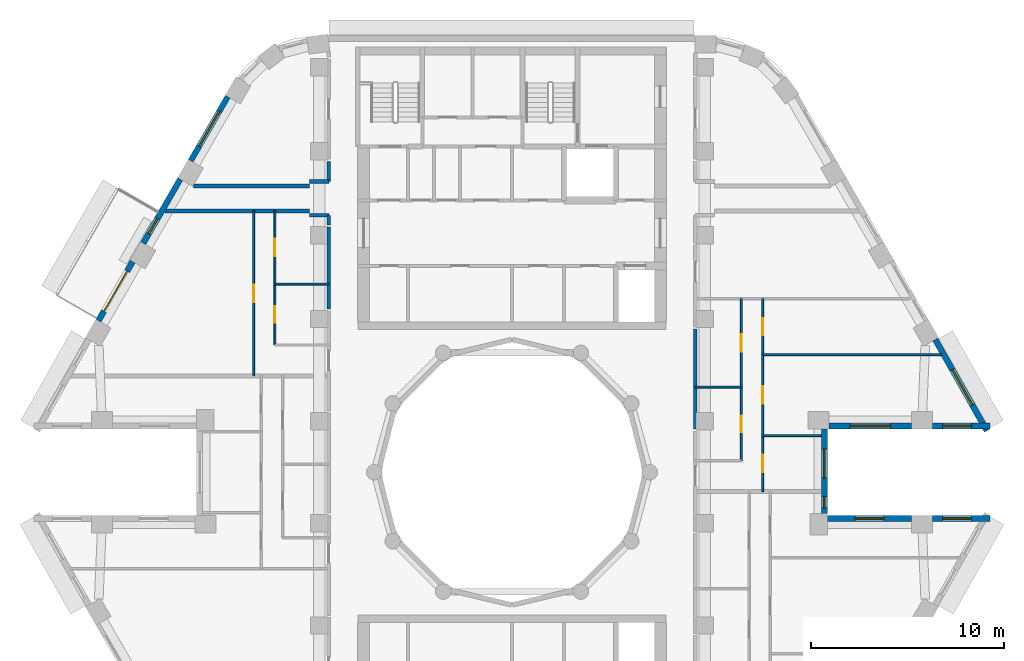
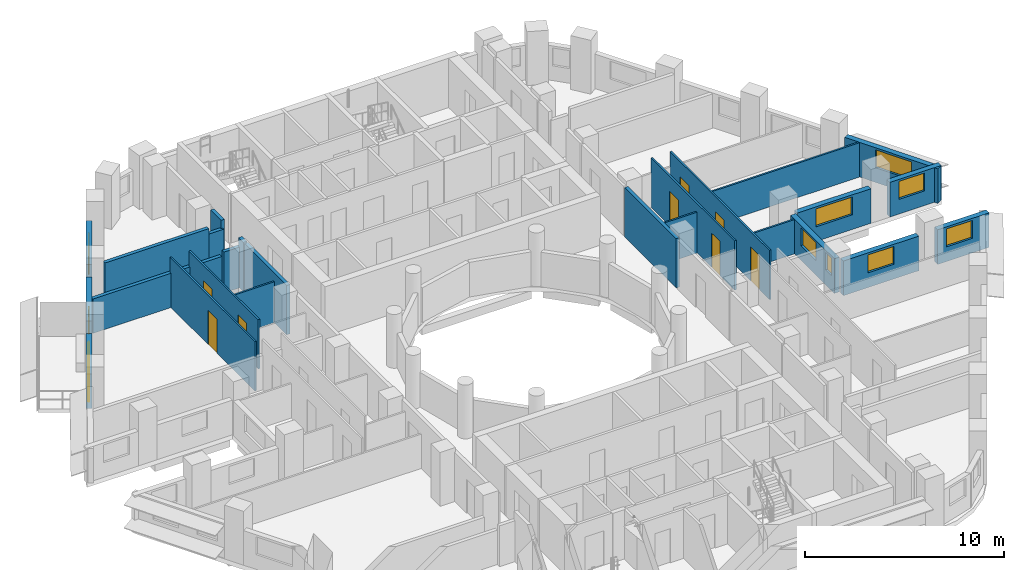
# One storey, part 6 of 13: 25 walls, 9 doors, 9 windows, 18 openings.
"""IFC4 building model written with IfcOpenShell, lengths in metres."""

from ifc_helpers import new_model, si_unit, direction, frame, frame_2d, origin, place, context, subcontext, project, spatial, rectangle, extrude, material, layer, layer_set, type_object, element, fill, save


model = new_model("IFC4")

# Units and contexts
model_context = context("Model", 3, precision=1e-05, world=origin(), true_north=direction((0.0, 1.0)))
body_context = subcontext(model_context, "Body", "Model", "MODEL_VIEW")
ifc_project = project(units=[si_unit("LENGTHUNIT", "METRE"), si_unit("AREAUNIT", "SQUARE_METRE"), si_unit("VOLUMEUNIT", "CUBIC_METRE"), si_unit("PLANEANGLEUNIT", "RADIAN"), si_unit("MASSUNIT", "GRAM", prefix="KILO")], contexts=[model_context])

# Site, building, storey
site_placement = place(None, origin())
site = spatial("IfcSite", under=ifc_project, at=site_placement, CompositionType="ELEMENT")
building_placement = place(site_placement, origin())
building = spatial("IfcBuilding", under=site, at=building_placement, Name="Nakaniwa Court", CompositionType="ELEMENT")
storey_placement = place(building_placement, frame((0.0, 0.0, 269.10009765625)))
storey = spatial("IfcBuildingStorey", under=building, at=storey_placement, Name="L71", CompositionType="ELEMENT", Elevation=269.10009765625)

# Walls
ifc_material_1 = material(Name="Acoustic double stud partition")
ifc_layer_1 = layer(ifc_material_1, 0.199951171875)
ifc_layer_set_1 = layer_set([ifc_layer_1], Name="Acoustic double stud partition")
wall_type_1 = type_object("IfcWallType", Name="Acoustic double stud partition 200", PredefinedType="PARTITIONING", material=ifc_layer_set_1)
wall_1_placement = place(storey_placement, frame((89.5, 82.237060546875, 0.0), z_axis=(0.0, 0.0, 1.0), x_axis=(0.0, 1.0, 0.0)))
element("IfcWall", 1, at=wall_1_placement, inside=storey, type_object=wall_type_1, Name="Partition PW-064", PredefinedType="PARTITIONING", context=body_context, shape_type="SweptSolid", body=[
    extrude(rectangle(XDim=5.18603515625, YDim=0.199951171875, at=frame_2d((2.593017578125, 0.0))), origin(), (0.0, 0.0, 1.0), 3.02490234375),
])
wall_2_placement = place(storey_placement, frame((62.015380859375, 93.550048828125, 0.0), z_axis=(0.0, 0.0, 1.0), x_axis=(1.0, 0.0, 0.0)))
element("IfcWall", 2, at=wall_2_placement, inside=storey, type_object=wall_type_1, Name="Partition PW-070", PredefinedType="PARTITIONING", context=body_context, shape_type="SweptSolid", body=[
    extrude(rectangle(XDim=7.484619140625, YDim=0.199951171875, at=frame_2d((3.7421875, 0.0))), origin(), (0.0, 0.0, 1.0), 2.10498046875),
])
for number, where, z_axis, x_axis, name in (
    (3, (69.5, 93.324951171875, 0.0), (0.0, 0.0, 1.0), (1.0, 0.0, 0.0), "Partition PW-072"),
    (4, (69.5, 95.074951171875, 0.0), (0.0, 0.0, 1.0), (1.0, 0.0, 0.0), "Partition PW-074"),
):
    element("IfcWall", number, at=place(storey_placement, frame(where, z_axis=z_axis, x_axis=x_axis)), inside=storey, type_object=wall_type_1, Name=name, PredefinedType="PARTITIONING", context=body_context, shape_type="SweptSolid", body=[
        extrude(rectangle(XDim=1.0, YDim=0.199951171875, at=frame_2d((0.5, 0.0))), origin(), (0.0, 0.0, 1.0), 2.5048828125),
    ])
wall_3_placement = place(storey_placement, frame((63.47900390625, 94.85009765625, 0.0), z_axis=(0.0, 0.0, 1.0), x_axis=(1.0, 0.0, 0.0)))
element("IfcWall", 5, at=wall_3_placement, inside=storey, type_object=wall_type_1, Name="Partition PW-076", PredefinedType="PARTITIONING", context=body_context, shape_type="SweptSolid", body=[
    extrude(rectangle(XDim=6.02099609375, YDim=0.199951171875, at=frame_2d((3.010498046875, 0.0))), origin(), (0.0, 0.0, 1.0), 3.02490234375),
])
wall_4_placement = place(storey_placement, frame((70.5, 88.47705078125, 0.0), z_axis=(0.0, 0.0, 1.0), x_axis=(0.0, 1.0, 0.0)))
element("IfcWall", 6, at=wall_4_placement, inside=storey, type_object=wall_type_1, Name="Partition PW-091", PredefinedType="PARTITIONING", context=body_context, shape_type="SweptSolid", body=[
    extrude(rectangle(XDim=4.23583984375, YDim=0.199951171875, at=frame_2d((2.117919921875, 0.0))), origin(), (0.0, 0.0, 1.0), 3.02490234375),
])
wall_5_placement = place(storey_placement, frame((70.5, 92.826904296875, 0.0), z_axis=(0.0, 0.0, 1.0), x_axis=(0.0, 1.0, 0.0)))
element("IfcWall", 7, at=wall_5_placement, inside=storey, type_object=wall_type_1, Name="Partition PW-092", PredefinedType="PARTITIONING", context=body_context, shape_type="SweptSolid", body=[
    extrude(rectangle(XDim=0.5009765625, YDim=0.199951171875, at=frame_2d((0.25048828125, 0.0))), origin(), (0.0, 0.0, 1.0), 3.02490234375),
])
wall_6_placement = place(storey_placement, frame((70.5, 95.072021484375, 0.0), z_axis=(0.0, 0.0, 1.0), x_axis=(0.0, 1.0, 0.0)))
element("IfcWall", 8, at=wall_6_placement, inside=storey, type_object=wall_type_1, Name="Partition PW-093", PredefinedType="PARTITIONING", context=body_context, shape_type="SweptSolid", body=[
    extrude(rectangle(XDim=1.051025390625, YDim=0.199951171875, at=frame_2d((0.525390625, 0.0))), origin(), (0.0, 0.0, 1.0), 3.02490234375),
])

# Wall, opening, window
ifc_material_2 = material(Name="Charcoal ceramic cladding")
ifc_layer_2 = layer(ifc_material_2, 0.02, Name="Ceramic cladding")
ifc_material_3 = material(Name="Ventilated air cavity")
ifc_layer_3 = layer(ifc_material_3, 0.04, ventilated=True, Name="Ventilated cavity")
ifc_material_4 = material(Name="Mineral wool insulation")
ifc_layer_4 = layer(ifc_material_4, 0.1, Name="Insulation")
ifc_material_5 = material(Name="Cement bonded sheathing board")
ifc_layer_5 = layer(ifc_material_5, 0.012, Name="Sheathing")
ifc_material_6 = material(Name="Cold-formed galvanised stud frame with mineral wool infill")
ifc_layer_6 = layer(ifc_material_6, 0.1, Name="Stud frame")
ifc_material_7 = material(Name="Fire-rated gypsum plasterboard lining")
ifc_layer_7 = layer(ifc_material_7, 0.028, Name="Lining")
ifc_layer_set_2 = layer_set([ifc_layer_2, ifc_layer_3, ifc_layer_4, ifc_layer_5, ifc_layer_6, ifc_layer_7], Name="Charcoal ceramic faced external wall system")
wall_type_2 = type_object("IfcWallType", Name="Black ceramic faced external wall 300", PredefinedType="SOLIDWALL", material=ifc_layer_set_2)
wall_7_placement = place(storey_placement, frame((96.445556640625, 82.39990234375, 0.0), z_axis=(0.0, 0.0, 1.0), x_axis=(1.0, 0.0, 0.0)))
wall_7 = element("IfcWall", 9, at=wall_7_placement, inside=storey, type_object=wall_type_2, Name="L71 external wall 00", PredefinedType="SOLIDWALL", context=body_context, shape_type="SweptSolid", body=[
    extrude(rectangle(XDim=4.2724609375, YDim=0.300048828125, at=frame_2d((2.13623046875, 0.0))), origin(), (0.0, 0.0, 1.0), 2.125),
])
opening_1_placement = place(wall_7_placement, frame((1.086181640625, 0.0, 0.89990234375)))
opening_1 = element("IfcOpeningElement", 10, at=opening_1_placement, cuts=wall_7, Name="Opening W7.01", PredefinedType="OPENING", context=body_context, shape_type="SweptSolid", body=[
    extrude(rectangle(XDim=2.10009765625, YDim=1.10009765625, at=frame_2d((1.050048828125, 0.550048828125))), frame((0.0, 0.159912109375, 0.0), z_axis=(0.0, -1.0, 0.0), x_axis=(1.0, 0.0, 0.0)), (0.0, 0.0, 1.0), 0.320068359375),
])
ifc_material_8 = material(Name="Black anodised aluminium frame with dark low-E laminated double glazing", Category="aluminium")
window_type_1 = type_object("IfcWindowType", Name="Dark glass window 2100x1100 sill 900", PartitioningType="SINGLE_PANEL", PredefinedType="WINDOW", material=ifc_material_8)
window_1_placement = place(opening_1_placement, origin())
window_1 = element("IfcWindow", 11, at=window_1_placement, inside=storey, type_object=window_type_1, Name="L71 living window 00-0", OverallHeight=1.10009765625, OverallWidth=2.10009765625, PartitioningType="SINGLE_PANEL", PredefinedType="WINDOW", context=body_context, shape_type="SweptSolid", body=[
    extrude(rectangle(XDim=2.10009765625, YDim=1.10009765625, at=frame_2d((1.050048828125, 0.550048828125))), frame((0.0, 0.030029296875, 0.0), z_axis=(0.0, -1.0, 0.0), x_axis=(1.0, 0.0, 0.0)), (0.0, 0.0, 1.0), 0.06005859375),
])
fill(opening_1, window_1)

wall_8_placement = place(storey_placement, frame((101.81005859375, 82.39990234375, 0.0), z_axis=(0.0, 0.0, 1.0), x_axis=(1.0, 0.0, 0.0)))
wall_8 = element("IfcWall", 12, at=wall_8_placement, inside=storey, type_object=wall_type_2, Name="L71 external wall 01", PredefinedType="SOLIDWALL", context=body_context, shape_type="SweptSolid", body=[
    extrude(rectangle(XDim=2.98779296875, YDim=0.300048828125, at=frame_2d((1.493896484375, 0.0))), origin(), (0.0, 0.0, 1.0), 2.125),
])
opening_2_placement = place(wall_8_placement, frame((0.51904296875, 0.0, 0.89990234375)))
opening_2 = element("IfcOpeningElement", 13, at=opening_2_placement, cuts=wall_8, Name="Opening W5.02", PredefinedType="OPENING", context=body_context, shape_type="SweptSolid", body=[
    extrude(rectangle(XDim=1.5, YDim=1.10009765625, at=frame_2d((0.75, 0.550048828125))), frame((0.0, 0.159912109375, 0.0), z_axis=(0.0, -1.0, 0.0), x_axis=(1.0, 0.0, 0.0)), (0.0, 0.0, 1.0), 0.320068359375),
])
window_type_2 = type_object("IfcWindowType", Name="Dark glass window 1500x1100 sill 900", PartitioningType="SINGLE_PANEL", PredefinedType="WINDOW", material=ifc_material_8)
window_2_placement = place(opening_2_placement, origin())
window_2 = element("IfcWindow", 14, at=window_2_placement, inside=storey, type_object=window_type_2, Name="L71 living window 01-0", OverallHeight=1.10009765625, OverallWidth=1.5, PartitioningType="SINGLE_PANEL", PredefinedType="WINDOW", context=body_context, shape_type="SweptSolid", body=[
    extrude(rectangle(XDim=1.5, YDim=1.10009765625, at=frame_2d((0.75, 0.550048828125))), frame((0.0, 0.030029296875, 0.0), z_axis=(0.0, -1.0, 0.0), x_axis=(1.0, 0.0, 0.0)), (0.0, 0.0, 1.0), 0.06005859375),
])
fill(opening_2, window_2)

wall_9_placement = place(storey_placement, frame((104.627197265625, 82.153564453125, 0.0), z_axis=(0.0, 0.0, 1.0), x_axis=(-0.492080931903, 0.870549456641, 0.0)))
wall_9 = element("IfcWall", 15, at=wall_9_placement, inside=storey, type_object=wall_type_2, Name="L71 external wall 02", PredefinedType="SOLIDWALL", context=body_context, shape_type="SweptSolid", body=[
    extrude(rectangle(XDim=5.436767578125, YDim=0.300048828125, at=frame_2d((2.71826171875, 0.0))), origin(), (0.0, 0.0, 1.0), 2.125),
])
opening_3_placement = place(wall_9_placement, frame((1.538818359375, 0.0, 0.89990234375)))
opening_3 = element("IfcOpeningElement", 16, at=opening_3_placement, cuts=wall_9, Name="Opening W7.03", PredefinedType="OPENING", context=body_context, shape_type="SweptSolid", body=[
    extrude(rectangle(XDim=2.10009765625, YDim=1.10009765625, at=frame_2d((1.050048828125, 0.550048828125))), frame((0.0, 0.159912109375, 0.0), z_axis=(0.0, -1.0, 0.0), x_axis=(1.0, 0.0, 0.0)), (0.0, 0.0, 1.0), 0.320068359375),
])
window_3_placement = place(opening_3_placement, origin())
window_3 = element("IfcWindow", 17, at=window_3_placement, inside=storey, type_object=window_type_1, Name="L71 living window 02-0", OverallHeight=1.10009765625, OverallWidth=2.10009765625, PartitioningType="SINGLE_PANEL", PredefinedType="WINDOW", context=body_context, shape_type="SweptSolid", body=[
    extrude(rectangle(XDim=2.10009765625, YDim=1.10009765625, at=frame_2d((1.050048828125, 0.550048828125))), frame((0.0, 0.030029296875, 0.0), z_axis=(0.0, -1.0, 0.0), x_axis=(1.0, 0.0, 0.0)), (0.0, 0.0, 1.0), 0.06005859375),
])
fill(opening_3, window_3)

wall_10_placement = place(storey_placement, frame((65.26416015625, 99.476806640625, 0.0), z_axis=(0.0, 0.0, 1.0), x_axis=(-0.499984490703, -0.866034357896, 0.0)))
wall_10 = element("IfcWall", 18, at=wall_10_placement, inside=storey, type_object=wall_type_2, Name="L71 external wall 11", PredefinedType="SOLIDWALL", context=body_context, shape_type="SweptSolid", body=[
    extrude(rectangle(XDim=3.84423828125, YDim=0.300048828125, at=frame_2d((1.922119140625, 0.0))), origin(), (0.0, 0.0, 1.0), 2.125),
])
opening_4_placement = place(wall_10_placement, frame((0.8720703125, 0.0, 0.89990234375)))
opening_4 = element("IfcOpeningElement", 19, at=opening_4_placement, cuts=wall_10, Name="Opening W7.12", PredefinedType="OPENING", context=body_context, shape_type="SweptSolid", body=[
    extrude(rectangle(XDim=2.10009765625, YDim=1.10009765625, at=frame_2d((1.050048828125, 0.550048828125))), frame((0.0, 0.159912109375, 0.0), z_axis=(0.0, -1.0, 0.0), x_axis=(1.0, 0.0, 0.0)), (0.0, 0.0, 1.0), 0.320068359375),
])
window_4_placement = place(opening_4_placement, origin())
window_4 = element("IfcWindow", 20, at=window_4_placement, inside=storey, type_object=window_type_1, Name="L71 habitable room window 11-0", OverallHeight=1.10009765625, OverallWidth=2.10009765625, PartitioningType="SINGLE_PANEL", PredefinedType="WINDOW", context=body_context, shape_type="SweptSolid", body=[
    extrude(rectangle(XDim=2.10009765625, YDim=1.10009765625, at=frame_2d((1.050048828125, 0.550048828125))), frame((0.0, 0.030029296875, 0.0), z_axis=(0.0, -1.0, 0.0), x_axis=(1.0, 0.0, 0.0)), (0.0, 0.0, 1.0), 0.06005859375),
])
fill(opening_4, window_4)

wall_11_placement = place(storey_placement, frame((62.7958984375, 95.201904296875, 0.0), z_axis=(0.0, 0.0, 1.0), x_axis=(-0.499984490703, -0.866034357896, 0.0)))
wall_11 = element("IfcWall", 21, at=wall_11_placement, inside=storey, type_object=wall_type_2, Name="L71 external wall 12", PredefinedType="SOLIDWALL", context=body_context, shape_type="SweptSolid", body=[
    extrude(rectangle(XDim=3.84423828125, YDim=0.300048828125, at=frame_2d((1.922119140625, 0.0))), origin(), (0.0, 0.0, 1.0), 2.125),
])
opening_5_placement = place(wall_11_placement, frame((2.36474609375, 0.0, 0.89990234375)))
opening_5 = element("IfcOpeningElement", 22, at=opening_5_placement, cuts=wall_11, Name="Opening W9.13", PredefinedType="OPENING", context=body_context, shape_type="SweptSolid", body=[
    extrude(rectangle(XDim=0.89990234375, YDim=1.10009765625, at=frame_2d((0.449951171875, 0.550048828125))), frame((0.0, 0.159912109375, 0.0), z_axis=(0.0, -1.0, 0.0), x_axis=(1.0, 0.0, 0.0)), (0.0, 0.0, 1.0), 0.320068359375),
])
window_type_3 = type_object("IfcWindowType", Name="Dark glass window 900x1100 sill 900", PartitioningType="SINGLE_PANEL", PredefinedType="WINDOW", material=ifc_material_8)
window_5_placement = place(opening_5_placement, origin())
window_5 = element("IfcWindow", 23, at=window_5_placement, inside=storey, type_object=window_type_3, Name="L71 living window 12-1", OverallHeight=1.10009765625, OverallWidth=0.89990234375, PartitioningType="SINGLE_PANEL", PredefinedType="WINDOW", context=body_context, shape_type="SweptSolid", body=[
    extrude(rectangle(XDim=0.89990234375, YDim=1.10009765625, at=frame_2d((0.449951171875, 0.550048828125))), frame((0.0, 0.030029296875, 0.0), z_axis=(0.0, -1.0, 0.0), x_axis=(1.0, 0.0, 0.0)), (0.0, 0.0, 1.0), 0.06005859375),
])
fill(opening_5, window_5)

# Wall, opening, door
wall_12_placement = place(storey_placement, frame((60.327880859375, 90.927001953125, 0.0), z_axis=(0.0, 0.0, 1.0), x_axis=(-0.500010404316, -0.866019396766, 0.0)))
wall_12 = element("IfcWall", 24, at=wall_12_placement, inside=storey, type_object=wall_type_2, Name="L71 external wall 13", PredefinedType="SOLIDWALL", context=body_context, shape_type="SweptSolid", body=[
    extrude(rectangle(XDim=3.54736328125, YDim=0.300048828125, at=frame_2d((1.773681640625, 0.0))), origin(), (0.0, 0.0, 1.0), 2.125),
])
opening_6_placement = place(wall_12_placement, frame((0.573486328125, 0.0, 0.0)))
opening_6 = element("IfcOpeningElement", 25, at=opening_6_placement, cuts=wall_12, Name="Opening XD13.01", PredefinedType="OPENING", context=body_context, shape_type="SweptSolid", body=[
    extrude(rectangle(XDim=2.39990234375, YDim=2.0, at=frame_2d((1.199951171875, 1.0))), frame((0.0, 0.159912109375, 0.0), z_axis=(0.0, -1.0, 0.0), x_axis=(1.0, 0.0, 0.0)), (0.0, 0.0, 1.0), 0.320068359375),
])
ifc_material_9 = material(Name="Black powder-coated aluminium frame with dark laminated glass", Category="aluminium")
door_type_1 = type_object("IfcDoorType", Name="Balcony sliding door 2400x2000", OperationType="DOUBLE_DOOR_SLIDING", PredefinedType="DOOR", material=ifc_material_9)
door_1_placement = place(opening_6_placement, origin())
door_1 = element("IfcDoor", 26, at=door_1_placement, inside=storey, type_object=door_type_1, Name="L71 balcony sliding door 01", OperationType="DOUBLE_DOOR_SLIDING", OverallHeight=2.0, OverallWidth=2.39990234375, PredefinedType="DOOR", context=body_context, shape_type="SweptSolid", body=[
    extrude(rectangle(XDim=2.39990234375, YDim=2.0, at=frame_2d((1.199951171875, 1.0))), frame((0.0, 0.02490234375, 0.0), z_axis=(0.0, -1.0, 0.0), x_axis=(1.0, 0.0, 0.0)), (0.0, 0.0, 1.0), 0.050048828125),
])
fill(opening_6, door_1)

# Wall, opening, window
wall_13_placement = place(storey_placement, frame((104.7978515625, 77.60009765625, 0.0), z_axis=(0.0, 0.0, 1.0), x_axis=(-1.0, 0.0, 0.0)))
wall_13 = element("IfcWall", 27, at=wall_13_placement, inside=storey, type_object=wall_type_2, Name="L71 external wall 33", PredefinedType="SOLIDWALL", context=body_context, shape_type="SweptSolid", body=[
    extrude(rectangle(XDim=2.98779296875, YDim=0.300048828125, at=frame_2d((1.493896484375, 0.0))), origin(), (0.0, 0.0, 1.0), 2.125),
])
opening_7_placement = place(wall_13_placement, frame((0.968994140625, 0.0, 0.89990234375)))
opening_7 = element("IfcOpeningElement", 28, at=opening_7_placement, cuts=wall_13, Name="Opening W5.38", PredefinedType="OPENING", context=body_context, shape_type="SweptSolid", body=[
    extrude(rectangle(XDim=1.5, YDim=1.10009765625, at=frame_2d((0.75, 0.550048828125))), frame((0.0, 0.159912109375, 0.0), z_axis=(0.0, -1.0, 0.0), x_axis=(1.0, 0.0, 0.0)), (0.0, 0.0, 1.0), 0.320068359375),
])
window_6_placement = place(opening_7_placement, origin())
window_6 = element("IfcWindow", 29, at=window_6_placement, inside=storey, type_object=window_type_2, Name="L71 bedroom window 33-0", OverallHeight=1.10009765625, OverallWidth=1.5, PartitioningType="SINGLE_PANEL", PredefinedType="WINDOW", context=body_context, shape_type="SweptSolid", body=[
    extrude(rectangle(XDim=1.5, YDim=1.10009765625, at=frame_2d((0.75, 0.550048828125))), frame((0.0, 0.030029296875, 0.0), z_axis=(0.0, -1.0, 0.0), x_axis=(1.0, 0.0, 0.0)), (0.0, 0.0, 1.0), 0.06005859375),
])
fill(opening_7, window_6)

wall_14_placement = place(storey_placement, frame((100.718017578125, 77.60009765625, 0.0), z_axis=(0.0, 0.0, 1.0), x_axis=(-1.0, 0.0, 0.0)))
wall_14 = element("IfcWall", 30, at=wall_14_placement, inside=storey, type_object=wall_type_2, Name="L71 external wall 34", PredefinedType="SOLIDWALL", context=body_context, shape_type="SweptSolid", body=[
    extrude(rectangle(XDim=4.37255859375, YDim=0.300048828125, at=frame_2d((2.186279296875, 0.0))), origin(), (0.0, 0.0, 1.0), 2.125),
])
opening_8_placement = place(wall_14_placement, frame((1.436279296875, 0.0, 0.89990234375)))
opening_8 = element("IfcOpeningElement", 31, at=opening_8_placement, cuts=wall_14, Name="Opening W5.39", PredefinedType="OPENING", context=body_context, shape_type="SweptSolid", body=[
    extrude(rectangle(XDim=1.5, YDim=1.10009765625, at=frame_2d((0.75, 0.550048828125))), frame((0.0, 0.159912109375, 0.0), z_axis=(0.0, -1.0, 0.0), x_axis=(1.0, 0.0, 0.0)), (0.0, 0.0, 1.0), 0.320068359375),
])
window_7_placement = place(opening_8_placement, origin())
window_7 = element("IfcWindow", 32, at=window_7_placement, inside=storey, type_object=window_type_2, Name="L71 bedroom window 34-0", OverallHeight=1.10009765625, OverallWidth=1.5, PartitioningType="SINGLE_PANEL", PredefinedType="WINDOW", context=body_context, shape_type="SweptSolid", body=[
    extrude(rectangle(XDim=1.5, YDim=1.10009765625, at=frame_2d((0.75, 0.550048828125))), frame((0.0, 0.030029296875, 0.0), z_axis=(0.0, -1.0, 0.0), x_axis=(1.0, 0.0, 0.0)), (0.0, 0.0, 1.0), 0.06005859375),
])
fill(opening_8, window_7)

# Wall, openings, windows
wall_15_placement = place(storey_placement, frame((96.199462890625, 77.845947265625, 0.0), z_axis=(0.0, 0.0, 1.0), x_axis=(0.0, 1.0, 0.0)))
wall_15 = element("IfcWall", 33, at=wall_15_placement, inside=storey, type_object=wall_type_2, Name="L71 external wall 35", PredefinedType="SOLIDWALL", context=body_context, shape_type="SweptSolid", body=[
    extrude(rectangle(XDim=4.407958984375, YDim=0.300048828125, at=frame_2d((2.2041015625, 0.0))), origin(), (0.0, 0.0, 1.0), 2.125),
])
opening_9_placement = place(wall_15_placement, frame((0.302001953125, 0.0, 0.89990234375)))
opening_9 = element("IfcOpeningElement", 34, at=opening_9_placement, cuts=wall_15, Name="Opening W8.40", PredefinedType="OPENING", context=body_context, shape_type="SweptSolid", body=[
    extrude(rectangle(XDim=0.60009765625, YDim=1.10009765625, at=frame_2d((0.300048828125, 0.550048828125))), frame((0.0, 0.159912109375, 0.0), z_axis=(0.0, -1.0, 0.0), x_axis=(1.0, 0.0, 0.0)), (0.0, 0.0, 1.0), 0.320068359375),
])
opening_10_placement = place(wall_15_placement, frame((1.855712890625, 0.0, 0.89990234375)))
opening_10 = element("IfcOpeningElement", 35, at=opening_10_placement, cuts=wall_15, Name="Opening W5.41", PredefinedType="OPENING", context=body_context, shape_type="SweptSolid", body=[
    extrude(rectangle(XDim=1.5, YDim=1.10009765625, at=frame_2d((0.75, 0.550048828125))), frame((0.0, 0.159912109375, 0.0), z_axis=(0.0, -1.0, 0.0), x_axis=(1.0, 0.0, 0.0)), (0.0, 0.0, 1.0), 0.320068359375),
])
window_8_placement = place(opening_10_placement, origin())
window_8 = element("IfcWindow", 36, at=window_8_placement, inside=storey, type_object=window_type_2, Name="L71 bedroom window 35-1", OverallHeight=1.10009765625, OverallWidth=1.5, PartitioningType="SINGLE_PANEL", PredefinedType="WINDOW", context=body_context, shape_type="SweptSolid", body=[
    extrude(rectangle(XDim=1.5, YDim=1.10009765625, at=frame_2d((0.75, 0.550048828125))), frame((0.0, 0.030029296875, 0.0), z_axis=(0.0, -1.0, 0.0), x_axis=(1.0, 0.0, 0.0)), (0.0, 0.0, 1.0), 0.06005859375),
])
fill(opening_10, window_8)
window_type_4 = type_object("IfcWindowType", Name="Dark glass window 600x1100 sill 900", PartitioningType="SINGLE_PANEL", PredefinedType="WINDOW", material=ifc_material_8)
window_9_placement = place(opening_9_placement, origin())
window_9 = element("IfcWindow", 37, at=window_9_placement, inside=storey, type_object=window_type_4, Name="L71 bedroom window 35-0", OverallHeight=1.10009765625, OverallWidth=0.60009765625, PartitioningType="SINGLE_PANEL", PredefinedType="WINDOW", context=body_context, shape_type="SweptSolid", body=[
    extrude(rectangle(XDim=0.60009765625, YDim=1.10009765625, at=frame_2d((0.300048828125, 0.550048828125))), frame((0.0, 0.030029296875, 0.0), z_axis=(0.0, -1.0, 0.0), x_axis=(1.0, 0.0, 0.0)), (0.0, 0.0, 1.0), 0.06005859375),
])
fill(opening_9, window_9)

# Wall
ifc_material_10 = material(Name="Single stud plasterboard partition")
ifc_layer_8 = layer(ifc_material_10, 0.10009765625)
ifc_layer_set_3 = layer_set([ifc_layer_8], Name="Single stud plasterboard partition")
wall_type_3 = type_object("IfcWallType", Name="Single stud plasterboard partition 100", PredefinedType="PARTITIONING", material=ifc_layer_set_3)
wall_16_placement = place(storey_placement, frame((89.5, 84.41796875, 0.0), z_axis=(0.0, 0.0, 1.0), x_axis=(1.0, 0.0, 0.0)))
element("IfcWall", 38, at=wall_16_placement, inside=storey, type_object=wall_type_3, Name="Partition PW-103", PredefinedType="PARTITIONING", context=body_context, shape_type="SweptSolid", body=[
    extrude(rectangle(XDim=2.39990234375, YDim=0.10009765625, at=frame_2d((1.199951171875, 0.0))), origin(), (0.0, 0.0, 1.0), 2.5048828125),
])

# Wall, openings, doors
wall_17_placement = place(storey_placement, frame((91.89990234375, 80.60009765625, 0.0), z_axis=(0.0, 0.0, 1.0), x_axis=(0.0, 1.0, 0.0)))
wall_17 = element("IfcWall", 39, at=wall_17_placement, inside=storey, type_object=wall_type_3, Name="Partition PW-104", PredefinedType="PARTITIONING", context=body_context, shape_type="SweptSolid", body=[
    extrude(rectangle(XDim=8.39990234375, YDim=0.10009765625, at=frame_2d((4.199951171875, 0.0))), origin(), (0.0, 0.0, 1.0), 3.02490234375),
])
opening_11_placement = place(wall_17_placement, frame((1.48388671875, 0.0, 0.0)))
opening_11 = element("IfcOpeningElement", 40, at=opening_11_placement, cuts=wall_17, Name="Opening D-03-02", PredefinedType="OPENING", context=body_context, shape_type="SweptSolid", body=[
    extrude(rectangle(XDim=0.85009765625, YDim=2.10009765625, at=frame_2d((0.425048828125, 1.050048828125))), frame((0.0, 0.06005859375, 0.0), z_axis=(0.0, -1.0, 0.0), x_axis=(1.0, 0.0, 0.0)), (0.0, 0.0, 1.0), 0.1201171875),
])
opening_12_placement = place(wall_17_placement, frame((5.658935546875, 0.0, 0.0)))
opening_12 = element("IfcOpeningElement", 41, at=opening_12_placement, cuts=wall_17, Name="Opening D-33-05", PredefinedType="OPENING", context=body_context, shape_type="SweptSolid", body=[
    extrude(rectangle(XDim=0.89990234375, YDim=2.10009765625, at=frame_2d((0.449951171875, 1.050048828125))), frame((0.0, 0.06005859375, 0.0), z_axis=(0.0, -1.0, 0.0), x_axis=(1.0, 0.0, 0.0)), (0.0, 0.0, 1.0), 0.1201171875),
])
ifc_material_11 = material(Name="Moisture sealed timber door set", Category="wood")
door_type_2 = type_object("IfcDoorType", Name="Bathroom door 850", OperationType="NOTDEFINED", PredefinedType="DOOR", material=ifc_material_11)
door_2_placement = place(opening_11_placement, origin())
door_2 = element("IfcDoor", 42, at=door_2_placement, inside=storey, type_object=door_type_2, Name="Door D-03-02 L71-039", OperationType="SINGLE_SWING_RIGHT", OverallHeight=2.10009765625, OverallWidth=0.85009765625, PredefinedType="DOOR", context=body_context, shape_type="SweptSolid", body=[
    extrude(rectangle(XDim=0.85009765625, YDim=2.10009765625, at=frame_2d((0.425048828125, 1.050048828125))), frame((0.0, 0.02490234375, 0.0), z_axis=(0.0, -1.0, 0.0), x_axis=(1.0, 0.0, 0.0)), (0.0, 0.0, 1.0), 0.050048828125),
])
fill(opening_11, door_2)
ifc_material_12 = material(Name="Solid core timber door set, black veneer", Category="wood")
door_type_3 = type_object("IfcDoorType", Name="Internal door 900", OperationType="NOTDEFINED", PredefinedType="DOOR", material=ifc_material_12)
door_3_placement = place(opening_12_placement, origin())
door_3 = element("IfcDoor", 43, at=door_3_placement, inside=storey, type_object=door_type_3, Name="Door D-33-05 L71-040", OperationType="SINGLE_SWING_LEFT", OverallHeight=2.10009765625, OverallWidth=0.89990234375, PredefinedType="DOOR", context=body_context, shape_type="SweptSolid", body=[
    extrude(rectangle(XDim=0.89990234375, YDim=2.10009765625, at=frame_2d((0.449951171875, 1.050048828125))), frame((0.0, 0.02490234375, 0.0), z_axis=(0.0, -1.0, 0.0), x_axis=(1.0, 0.0, 0.0)), (0.0, 0.0, 1.0), 0.050048828125),
])
fill(opening_12, door_3)

wall_18_placement = place(storey_placement, frame((93.0, 89.0, 0.0), z_axis=(0.0, 0.0, 1.0), x_axis=(0.0, -1.0, 0.0)))
wall_18 = element("IfcWall", 44, at=wall_18_placement, inside=storey, type_object=wall_type_3, Name="Partition PW-107", PredefinedType="PARTITIONING", context=body_context, shape_type="SweptSolid", body=[
    extrude(rectangle(XDim=10.0, YDim=0.10009765625, at=frame_2d((5.0, 0.0))), origin(), (0.0, 0.0, 1.0), 3.02490234375),
])
opening_13_placement = place(wall_18_placement, frame((8.097900390625, 0.0, 0.0)))
opening_13 = element("IfcOpeningElement", 45, at=opening_13_placement, cuts=wall_18, Name="Opening D-33-06", PredefinedType="OPENING", context=body_context, shape_type="SweptSolid", body=[
    extrude(rectangle(XDim=0.89990234375, YDim=2.10009765625, at=frame_2d((0.449951171875, 1.050048828125))), frame((0.0, 0.06005859375, 0.0), z_axis=(0.0, -1.0, 0.0), x_axis=(1.0, 0.0, 0.0)), (0.0, 0.0, 1.0), 0.1201171875),
])
opening_14_placement = place(wall_18_placement, frame((4.550048828125, 0.0, 0.0)))
opening_14 = element("IfcOpeningElement", 46, at=opening_14_placement, cuts=wall_18, Name="Opening D-33-07", PredefinedType="OPENING", context=body_context, shape_type="SweptSolid", body=[
    extrude(rectangle(XDim=0.89990234375, YDim=2.10009765625, at=frame_2d((0.449951171875, 1.050048828125))), frame((0.0, 0.06005859375, 0.0), z_axis=(0.0, -1.0, 0.0), x_axis=(1.0, 0.0, 0.0)), (0.0, 0.0, 1.0), 0.1201171875),
])
opening_15_placement = place(wall_18_placement, frame((1.001953125, 0.0, 0.0)))
opening_15 = element("IfcOpeningElement", 47, at=opening_15_placement, cuts=wall_18, Name="Opening D-33-08", PredefinedType="OPENING", context=body_context, shape_type="SweptSolid", body=[
    extrude(rectangle(XDim=0.89990234375, YDim=2.10009765625, at=frame_2d((0.449951171875, 1.050048828125))), frame((0.0, 0.06005859375, 0.0), z_axis=(0.0, -1.0, 0.0), x_axis=(1.0, 0.0, 0.0)), (0.0, 0.0, 1.0), 0.1201171875),
])
door_4_placement = place(opening_13_placement, origin())
door_4 = element("IfcDoor", 48, at=door_4_placement, inside=storey, type_object=door_type_3, Name="Door D-33-06 L71-041", OperationType="SINGLE_SWING_RIGHT", OverallHeight=2.10009765625, OverallWidth=0.89990234375, PredefinedType="DOOR", context=body_context, shape_type="SweptSolid", body=[
    extrude(rectangle(XDim=0.89990234375, YDim=2.10009765625, at=frame_2d((0.449951171875, 1.050048828125))), frame((0.0, 0.02490234375, 0.0), z_axis=(0.0, -1.0, 0.0), x_axis=(1.0, 0.0, 0.0)), (0.0, 0.0, 1.0), 0.050048828125),
])
fill(opening_13, door_4)
door_5_placement = place(opening_14_placement, origin())
door_5 = element("IfcDoor", 49, at=door_5_placement, inside=storey, type_object=door_type_3, Name="Door D-33-07 L71-042", OperationType="SINGLE_SWING_LEFT", OverallHeight=2.10009765625, OverallWidth=0.89990234375, PredefinedType="DOOR", context=body_context, shape_type="SweptSolid", body=[
    extrude(rectangle(XDim=0.89990234375, YDim=2.10009765625, at=frame_2d((0.449951171875, 1.050048828125))), frame((0.0, 0.02490234375, 0.0), z_axis=(0.0, -1.0, 0.0), x_axis=(1.0, 0.0, 0.0)), (0.0, 0.0, 1.0), 0.050048828125),
])
fill(opening_14, door_5)
door_6_placement = place(opening_15_placement, origin())
door_6 = element("IfcDoor", 50, at=door_6_placement, inside=storey, type_object=door_type_3, Name="Door D-33-08 L71-043", OperationType="SINGLE_SWING_RIGHT", OverallHeight=2.10009765625, OverallWidth=0.89990234375, PredefinedType="DOOR", context=body_context, shape_type="SweptSolid", body=[
    extrude(rectangle(XDim=0.89990234375, YDim=2.10009765625, at=frame_2d((0.449951171875, 1.050048828125))), frame((0.0, 0.02490234375, 0.0), z_axis=(0.0, -1.0, 0.0), x_axis=(1.0, 0.0, 0.0)), (0.0, 0.0, 1.0), 0.050048828125),
])
fill(opening_15, door_6)

# Walls
wall_19_placement = place(storey_placement, frame((93.0, 81.903076171875, 0.0), z_axis=(0.0, 0.0, 1.0), x_axis=(1.0, 0.0, 0.0)))
element("IfcWall", 51, at=wall_19_placement, inside=storey, type_object=wall_type_3, Name="Partition PW-108", PredefinedType="PARTITIONING", context=body_context, shape_type="SweptSolid", body=[
    extrude(rectangle(XDim=3.049560546875, YDim=0.10009765625, at=frame_2d((1.52490234375, 0.0))), origin(), (0.0, 0.0, 1.0), 2.10498046875),
])
wall_20_placement = place(storey_placement, frame((93.0, 86.096923828125, 0.0), z_axis=(0.0, 0.0, 1.0), x_axis=(1.0, 0.0, 0.0)))
element("IfcWall", 52, at=wall_20_placement, inside=storey, type_object=wall_type_3, Name="Partition PW-109", PredefinedType="PARTITIONING", context=body_context, shape_type="SweptSolid", body=[
    extrude(rectangle(XDim=9.28759765625, YDim=0.10009765625, at=frame_2d((4.643798828125, 0.0))), origin(), (0.0, 0.0, 1.0), 2.10498046875),
])
wall_21_placement = place(storey_placement, frame((67.699951171875, 89.759033203125, 0.0), z_axis=(0.0, 0.0, 1.0), x_axis=(1.0, 0.0, 0.0)))
element("IfcWall", 53, at=wall_21_placement, inside=storey, type_object=wall_type_3, Name="Partition PW-118", PredefinedType="PARTITIONING", context=body_context, shape_type="SweptSolid", body=[
    extrude(rectangle(XDim=2.800048828125, YDim=0.10009765625, at=frame_2d((1.39990234375, 0.0))), origin(), (0.0, 0.0, 1.0), 2.5048828125),
])

# Wall, openings, doors
wall_22_placement = place(storey_placement, frame((67.699951171875, 93.550048828125, 0.0), z_axis=(0.0, 0.0, 1.0), x_axis=(0.0, -1.0, 0.0)))
wall_22 = element("IfcWall", 54, at=wall_22_placement, inside=storey, type_object=wall_type_3, Name="Partition PW-120", PredefinedType="PARTITIONING", context=body_context, shape_type="SweptSolid", body=[
    extrude(rectangle(XDim=6.949951171875, YDim=0.10009765625, at=frame_2d((3.47509765625, 0.0))), origin(), (0.0, 0.0, 1.0), 3.02490234375),
])
opening_16_placement = place(wall_22_placement, frame((4.945068359375, 0.0, 0.0)))
opening_16 = element("IfcOpeningElement", 55, at=opening_16_placement, cuts=wall_22, Name="Opening D-03-04", PredefinedType="OPENING", context=body_context, shape_type="SweptSolid", body=[
    extrude(rectangle(XDim=0.85009765625, YDim=2.10009765625, at=frame_2d((0.425048828125, 1.050048828125))), frame((0.0, 0.06005859375, 0.0), z_axis=(0.0, -1.0, 0.0), x_axis=(1.0, 0.0, 0.0)), (0.0, 0.0, 1.0), 0.1201171875),
])
opening_17_placement = place(wall_22_placement, frame((1.445068359375, 0.0, 0.0)))
opening_17 = element("IfcOpeningElement", 56, at=opening_17_placement, cuts=wall_22, Name="Opening D-33-13", PredefinedType="OPENING", context=body_context, shape_type="SweptSolid", body=[
    extrude(rectangle(XDim=0.89990234375, YDim=2.10009765625, at=frame_2d((0.449951171875, 1.050048828125))), frame((0.0, 0.06005859375, 0.0), z_axis=(0.0, -1.0, 0.0), x_axis=(1.0, 0.0, 0.0)), (0.0, 0.0, 1.0), 0.1201171875),
])
door_7_placement = place(opening_16_placement, origin())
door_7 = element("IfcDoor", 57, at=door_7_placement, inside=storey, type_object=door_type_2, Name="Door D-03-04 L71-053", OperationType="SINGLE_SWING_RIGHT", OverallHeight=2.10009765625, OverallWidth=0.85009765625, PredefinedType="DOOR", context=body_context, shape_type="SweptSolid", body=[
    extrude(rectangle(XDim=0.85009765625, YDim=2.10009765625, at=frame_2d((0.425048828125, 1.050048828125))), frame((0.0, 0.02490234375, 0.0), z_axis=(0.0, -1.0, 0.0), x_axis=(1.0, 0.0, 0.0)), (0.0, 0.0, 1.0), 0.050048828125),
])
fill(opening_16, door_7)
door_8_placement = place(opening_17_placement, origin())
door_8 = element("IfcDoor", 58, at=door_8_placement, inside=storey, type_object=door_type_3, Name="Door D-33-13 L71-054", OperationType="SINGLE_SWING_LEFT", OverallHeight=2.10009765625, OverallWidth=0.89990234375, PredefinedType="DOOR", context=body_context, shape_type="SweptSolid", body=[
    extrude(rectangle(XDim=0.89990234375, YDim=2.10009765625, at=frame_2d((0.449951171875, 1.050048828125))), frame((0.0, 0.02490234375, 0.0), z_axis=(0.0, -1.0, 0.0), x_axis=(1.0, 0.0, 0.0)), (0.0, 0.0, 1.0), 0.050048828125),
])
fill(opening_17, door_8)

# Wall, opening, door
wall_23_placement = place(storey_placement, frame((66.60009765625, 85.0, 0.0), z_axis=(0.0, 0.0, 1.0), x_axis=(0.0, 1.0, 0.0)))
wall_23 = element("IfcWall", 59, at=wall_23_placement, inside=storey, type_object=wall_type_3, Name="Partition PW-121", PredefinedType="PARTITIONING", context=body_context, shape_type="SweptSolid", body=[
    extrude(rectangle(XDim=8.550048828125, YDim=0.10009765625, at=frame_2d((4.27490234375, 0.0))), origin(), (0.0, 0.0, 1.0), 3.02490234375),
])
opening_18_placement = place(wall_23_placement, frame((3.824951171875, 0.0, 0.0)))
opening_18 = element("IfcOpeningElement", 60, at=opening_18_placement, cuts=wall_23, Name="Opening D-33-14", PredefinedType="OPENING", context=body_context, shape_type="SweptSolid", body=[
    extrude(rectangle(XDim=0.89990234375, YDim=2.10009765625, at=frame_2d((0.449951171875, 1.050048828125))), frame((0.0, 0.06005859375, 0.0), z_axis=(0.0, -1.0, 0.0), x_axis=(1.0, 0.0, 0.0)), (0.0, 0.0, 1.0), 0.1201171875),
])
door_9_placement = place(opening_18_placement, origin())
door_9 = element("IfcDoor", 61, at=door_9_placement, inside=storey, type_object=door_type_3, Name="Door D-33-14 L71-055", OperationType="SINGLE_SWING_RIGHT", OverallHeight=2.10009765625, OverallWidth=0.89990234375, PredefinedType="DOOR", context=body_context, shape_type="SweptSolid", body=[
    extrude(rectangle(XDim=0.89990234375, YDim=2.10009765625, at=frame_2d((0.449951171875, 1.050048828125))), frame((0.0, 0.02490234375, 0.0), z_axis=(0.0, -1.0, 0.0), x_axis=(1.0, 0.0, 0.0)), (0.0, 0.0, 1.0), 0.050048828125),
])
fill(opening_18, door_9)

save(model, "model.ifc")
